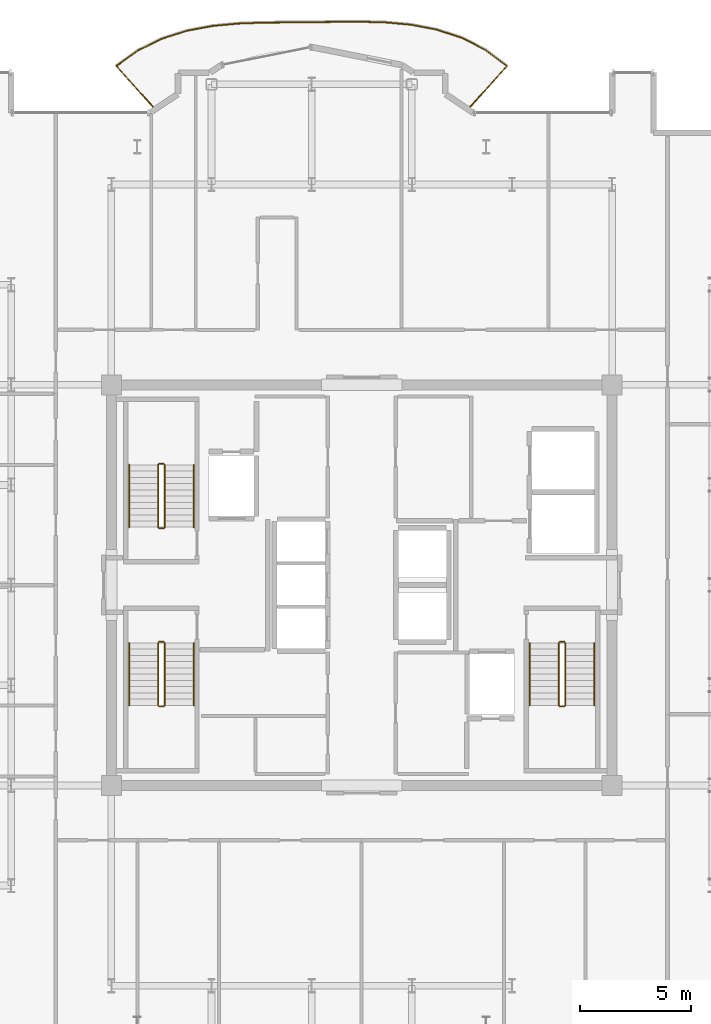
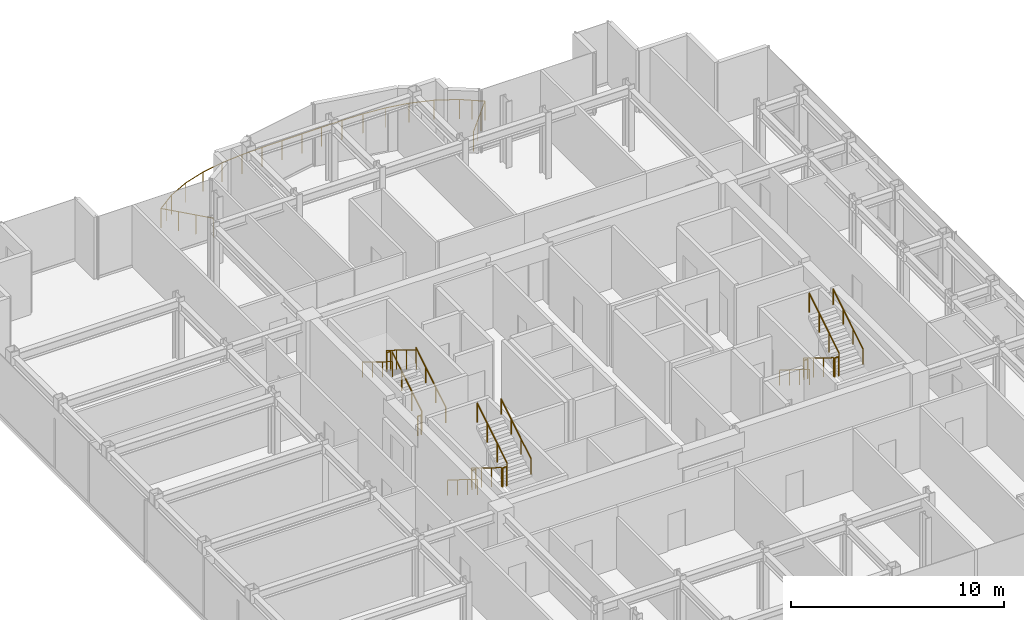
# One storey, part 18 of 18: 19 railings.
"""IFC4 building model written with IfcOpenShell, lengths in metres."""

from ifc_helpers import new_model, si_unit, direction, frame, origin, origin_2d, place, context, subcontext, project, spatial, circle, extrude, material, type_object, element, save


model = new_model("IFC4")

# Units and contexts
model_context = context("Model", 3, precision=1e-05, world=origin(), true_north=direction((0.0, 1.0)))
body_context = subcontext(model_context, "Body", "Model", "MODEL_VIEW")
ifc_project = project(units=[si_unit("LENGTHUNIT", "METRE"), si_unit("AREAUNIT", "SQUARE_METRE"), si_unit("VOLUMEUNIT", "CUBIC_METRE"), si_unit("PLANEANGLEUNIT", "RADIAN"), si_unit("MASSUNIT", "GRAM", prefix="KILO")], contexts=[model_context])

# Site, building, storey
site_placement = place(None, origin())
site = spatial("IfcSite", under=ifc_project, at=site_placement, CompositionType="ELEMENT")
building_placement = place(site_placement, origin())
building = spatial("IfcBuilding", under=site, at=building_placement, Name="Nefas-Gora Pilgrimage Tower", CompositionType="ELEMENT")
storey_placement = place(building_placement, frame((0.0, 0.0, 306.39990234375)))
storey = spatial("IfcBuildingStorey", under=building, at=storey_placement, Name="L77", CompositionType="ELEMENT", Elevation=306.39990234375)

# Railings
ifc_material_1 = material(Name="Laminated safety glass and stainless steel", Category="steel")
railing_type_1 = type_object("IfcRailingType", Name="RLG-BAL-1100", PredefinedType="BALUSTRADE", material=ifc_material_1)
railing_1_placement = place(storey_placement, frame((4.802490234375, 21.402587890625, 0.0)))
element("IfcRailing", 1, at=railing_1_placement, inside=storey, type_object=railing_type_1, Name="L77 Wave Balcony Balustrade N1", PredefinedType="BALUSTRADE", context=body_context, shape_type="SweptSolid", body=[
    extrude(circle(Radius=0.02392578125, at=origin_2d()), frame((0.0, 0.0, 1.09619140625), z_axis=(0.669142449017, 0.743134162129, 0.0), x_axis=(-0.743134162129, 0.669142449017, 0.0)), (0.0, 0.0, 1.0), 2.580322265625),
    extrude(circle(Radius=0.02392578125, at=origin_2d()), frame((1.7265625, 1.91748046875, 1.09619140625), z_axis=(-0.799609380454, 0.600520473164, 0.0), x_axis=(-0.600520473164, -0.799609380454, 0.0)), (0.0, 0.0, 1.0), 1.200439453125),
    extrude(circle(Radius=0.02392578125, at=origin_2d()), frame((0.7666015625, 2.638427734375, 1.09619140625), z_axis=(-0.890733279512, 0.45452637412, 0.0), x_axis=(-0.45452637412, -0.890733279512, 0.0)), (0.0, 0.0, 1.0), 1.199462890625),
    extrude(circle(Radius=0.02392578125, at=origin_2d()), frame((-0.3017578125, 3.18359375, 1.09619140625), z_axis=(-0.950145160324, 0.311807912523, 0.0), x_axis=(-0.311807912523, -0.950145160324, 0.0)), (0.0, 0.0, 1.0), 1.194091796875),
    extrude(circle(Radius=0.02392578125, at=origin_2d()), frame((-1.436279296875, 3.555908203125, 1.09619140625), z_axis=(-0.982457799544, 0.186485045284, 0.0), x_axis=(-0.186485045284, -0.982457799544, 0.0)), (0.0, 0.0, 1.0), 1.180908203125),
    extrude(circle(Radius=0.02392578125, at=origin_2d()), frame((-2.596435546875, 3.776123046875, 1.09619140625), z_axis=(-0.996011638398, 0.089223405981, 0.0), x_axis=(-0.089223405981, -0.996011638398, 0.0)), (0.0, 0.0, 1.0), 1.157470703125),
    extrude(circle(Radius=0.02392578125, at=origin_2d()), frame((-3.749267578125, 3.87939453125, 1.09619140625), z_axis=(-0.99967356135, 0.025549378436, 0.0), x_axis=(-0.025549378436, -0.99967356135, 0.0)), (0.0, 0.0, 1.0), 1.127685546875),
    extrude(circle(Radius=0.02392578125, at=origin_2d()), frame((-4.87646484375, 3.908203125, 1.09619140625), z_axis=(-0.999980616702, -0.00622625245, 0.0), x_axis=(0.00622625245, -0.999980616702, 0.0)), (0.0, 0.0, 1.0), 1.097900390625),
    extrude(circle(Radius=0.02392578125, at=origin_2d()), frame((-5.974365234375, 3.9013671875, 1.09619140625), z_axis=(-0.99992244912, -0.012453744271, 0.0), x_axis=(0.012453744271, -0.99992244912, 0.0)), (0.0, 0.0, 1.0), 1.078125),
    extrude(circle(Radius=0.02392578125, at=origin_2d()), frame((-7.052490234375, 3.887939453125, 1.09619140625), z_axis=(-0.999968478826, -0.007939858611, 0.0), x_axis=(0.007939858611, -0.999968478826, 0.0)), (0.0, 0.0, 1.0), 1.076171875),
    extrude(circle(Radius=0.02392578125, at=origin_2d()), frame((-8.128662109375, 3.87939453125, 1.09619140625), z_axis=(-0.999947171878, -0.010278786571, 0.0), x_axis=(0.010278786571, -0.999947171878, 0.0)), (0.0, 0.0, 1.0), 1.092529296875),
    extrude(circle(Radius=0.02392578125, at=origin_2d()), frame((-9.22119140625, 3.8681640625, 1.09619140625), z_axis=(-0.99936174395, -0.03572260811, 0.0), x_axis=(0.03572260811, -0.99936174395, 0.0)), (0.0, 0.0, 1.0), 1.120849609375),
    extrude(circle(Radius=0.02392578125, at=origin_2d()), frame((-10.34130859375, 3.828125, 1.09619140625), z_axis=(-0.995737068409, -0.092237143262, 0.0), x_axis=(0.092237143262, -0.995737068409, 0.0)), (0.0, 0.0, 1.0), 1.1513671875),
    extrude(circle(Radius=0.02392578125, at=origin_2d()), frame((-11.48779296875, 3.721923828125, 1.09619140625), z_axis=(-0.983222780011, -0.182408785063, 0.0), x_axis=(0.182408785063, -0.983222780011, 0.0)), (0.0, 0.0, 1.0), 1.176513671875),
    extrude(circle(Radius=0.02392578125, at=origin_2d()), frame((-12.64453125, 3.50732421875, 1.09619140625), z_axis=(-0.953347137132, -0.301876193369, 0.0), x_axis=(0.301876193369, -0.953347137132, 0.0)), (0.0, 0.0, 1.0), 1.192138671875),
    extrude(circle(Radius=0.02392578125, at=origin_2d()), frame((-13.781005859375, 3.1474609375, 1.09619140625), z_axis=(-0.8975416003, -0.440929785489, 0.0), x_axis=(0.440929785489, -0.8975416003, 0.0)), (0.0, 0.0, 1.0), 1.19873046875),
    extrude(circle(Radius=0.02392578125, at=origin_2d()), frame((-14.85693359375, 2.618896484375, 1.09619140625), z_axis=(-0.81049147795, -0.58575042823, 0.0), x_axis=(0.58575042823, -0.81049147795, 0.0)), (0.0, 0.0, 1.0), 1.200439453125),
    extrude(circle(Radius=0.02392578125, at=origin_2d()), frame((-15.829833984375, 1.915771484375, 1.09619140625), z_axis=(0.669105995394, -0.743166984552, 0.0), x_axis=(0.743166984552, 0.669105995394, 0.0)), (0.0, 0.0, 1.0), 2.577880859375),
    extrude(circle(Radius=0.02099609375, at=origin_2d()), origin(), (0.0, 0.0, 1.0), 1.072021484375),
    extrude(circle(Radius=0.02099609375, at=origin_2d()), frame((0.575439453125, 0.63916015625, 0.0)), (0.0, 0.0, 1.0), 1.072021484375),
    extrude(circle(Radius=0.02099609375, at=origin_2d()), frame((1.151123046875, 1.2783203125, 0.0)), (0.0, 0.0, 1.0), 1.072021484375),
    extrude(circle(Radius=0.02099609375, at=origin_2d()), frame((1.7265625, 1.91748046875, 0.0)), (0.0, 0.0, 1.0), 1.072021484375),
    extrude(circle(Radius=0.02099609375, at=origin_2d()), frame((1.24658203125, 2.27783203125, 0.0)), (0.0, 0.0, 1.0), 1.072021484375),
    extrude(circle(Radius=0.02099609375, at=origin_2d()), frame((0.7666015625, 2.638427734375, 0.0)), (0.0, 0.0, 1.0), 1.072021484375),
    extrude(circle(Radius=0.02099609375, at=origin_2d()), frame((-0.3017578125, 3.18359375, 0.0)), (0.0, 0.0, 1.0), 1.072021484375),
    extrude(circle(Radius=0.02099609375, at=origin_2d()), frame((-1.436279296875, 3.555908203125, 0.0)), (0.0, 0.0, 1.0), 1.072021484375),
    extrude(circle(Radius=0.02099609375, at=origin_2d()), frame((-2.596435546875, 3.776123046875, 0.0)), (0.0, 0.0, 1.0), 1.072021484375),
    extrude(circle(Radius=0.02099609375, at=origin_2d()), frame((-3.749267578125, 3.87939453125, 0.0)), (0.0, 0.0, 1.0), 1.072021484375),
    extrude(circle(Radius=0.02099609375, at=origin_2d()), frame((-4.87646484375, 3.908203125, 0.0)), (0.0, 0.0, 1.0), 1.072021484375),
    extrude(circle(Radius=0.02099609375, at=origin_2d()), frame((-5.974365234375, 3.9013671875, 0.0)), (0.0, 0.0, 1.0), 1.072021484375),
    extrude(circle(Radius=0.02099609375, at=origin_2d()), frame((-7.052490234375, 3.887939453125, 0.0)), (0.0, 0.0, 1.0), 1.072021484375),
    extrude(circle(Radius=0.02099609375, at=origin_2d()), frame((-8.128662109375, 3.87939453125, 0.0)), (0.0, 0.0, 1.0), 1.072021484375),
    extrude(circle(Radius=0.02099609375, at=origin_2d()), frame((-9.22119140625, 3.8681640625, 0.0)), (0.0, 0.0, 1.0), 1.072021484375),
    extrude(circle(Radius=0.02099609375, at=origin_2d()), frame((-10.34130859375, 3.828125, 0.0)), (0.0, 0.0, 1.0), 1.072021484375),
    extrude(circle(Radius=0.02099609375, at=origin_2d()), frame((-11.48779296875, 3.721923828125, 0.0)), (0.0, 0.0, 1.0), 1.072021484375),
    extrude(circle(Radius=0.02099609375, at=origin_2d()), frame((-12.64453125, 3.50732421875, 0.0)), (0.0, 0.0, 1.0), 1.072021484375),
    extrude(circle(Radius=0.02099609375, at=origin_2d()), frame((-13.781005859375, 3.1474609375, 0.0)), (0.0, 0.0, 1.0), 1.072021484375),
    extrude(circle(Radius=0.02099609375, at=origin_2d()), frame((-14.85693359375, 2.618896484375, 0.0)), (0.0, 0.0, 1.0), 1.072021484375),
    extrude(circle(Radius=0.02099609375, at=origin_2d()), frame((-15.34326171875, 2.267333984375, 0.0)), (0.0, 0.0, 1.0), 1.072021484375),
    extrude(circle(Radius=0.02099609375, at=origin_2d()), frame((-15.829833984375, 1.915771484375, 0.0)), (0.0, 0.0, 1.0), 1.072021484375),
    extrude(circle(Radius=0.02099609375, at=origin_2d()), frame((-15.2548828125, 1.277099609375, 0.0)), (0.0, 0.0, 1.0), 1.072021484375),
    extrude(circle(Radius=0.02099609375, at=origin_2d()), frame((-14.679931640625, 0.638671875, 0.0)), (0.0, 0.0, 1.0), 1.072021484375),
    extrude(circle(Radius=0.02099609375, at=origin_2d()), frame((-14.10498046875, 0.0, 0.0)), (0.0, 0.0, 1.0), 1.072021484375),
])
ifc_material_2 = material(Name="Painted galvanised steel", Category="steel")
railing_type_2 = type_object("IfcRailingType", Name="RLG-STR-GUARD-1100", PredefinedType="GUARDRAIL", material=ifc_material_2)
railing_2_placement = place(storey_placement, frame((-8.85009765625, 2.60009765625, 0.1728515625)))
element("IfcRailing", 2, at=railing_2_placement, inside=storey, type_object=railing_type_2, Name="L77 ST-01 stair guard 1", PredefinedType="GUARDRAIL", context=body_context, shape_type="SweptSolid", body=[
    extrude(circle(Radius=0.02392578125, at=origin_2d()), frame((0.0, 0.0, 1.09619140625), z_axis=(0.0, 0.851069175582, 0.525053576669), x_axis=(-1.0, 0.0, 0.0)), (0.0, 0.0, 1.0), 3.289794921875),
    extrude(circle(Radius=0.02099609375, at=origin_2d()), origin(), (0.0, 0.0, 1.0), 1.072021484375),
    extrude(circle(Radius=0.02099609375, at=origin_2d()), frame((0.0, 0.933349609375, 0.57568359375)), (0.0, 0.0, 1.0), 1.072021484375),
    extrude(circle(Radius=0.02099609375, at=origin_2d()), frame((0.0, 1.866455078125, 1.151611328125)), (0.0, 0.0, 1.0), 1.072021484375),
    extrude(circle(Radius=0.02099609375, at=origin_2d()), frame((0.0, 2.7998046875, 1.727294921875)), (0.0, 0.0, 1.0), 1.072021484375),
])
railing_3_placement = place(storey_placement, frame((-8.89990234375, 5.449951171875, 1.900146484375)))
element("IfcRailing", 3, at=railing_3_placement, inside=storey, type_object=railing_type_2, Name="L77 ST-01 stair guard 2", PredefinedType="GUARDRAIL", context=body_context, shape_type="SweptSolid", body=[
    extrude(circle(Radius=0.02392578125, at=origin_2d()), frame((0.0, 0.0, 1.09619140625), z_axis=(-1.0, 0.0, 0.0), x_axis=(0.0, -1.0, 0.0)), (0.0, 0.0, 1.0), 0.2001953125),
    extrude(circle(Radius=0.02099609375, at=origin_2d()), origin(), (0.0, 0.0, 1.0), 1.072021484375),
    extrude(circle(Radius=0.02099609375, at=origin_2d()), frame((-0.2001953125, 0.0, 0.0)), (0.0, 0.0, 1.0), 1.072021484375),
])
railing_4_placement = place(storey_placement, frame((-9.14990234375, 5.39990234375, 2.07275390625)))
element("IfcRailing", 4, at=railing_4_placement, inside=storey, type_object=railing_type_2, Name="L77 ST-01 stair guard 3", PredefinedType="GUARDRAIL", context=body_context, shape_type="SweptSolid", body=[
    extrude(circle(Radius=0.02392578125, at=origin_2d()), frame((0.0, 0.0, 1.09619140625), z_axis=(0.0, -0.851069175582, 0.525053576669), x_axis=(1.0, 0.0, 0.0)), (0.0, 0.0, 1.0), 3.289794921875),
    extrude(circle(Radius=0.02099609375, at=origin_2d()), origin(), (0.0, 0.0, 1.0), 1.072021484375),
    extrude(circle(Radius=0.02099609375, at=origin_2d()), frame((0.0, -0.933349609375, 0.57568359375)), (0.0, 0.0, 1.0), 1.072021484375),
    extrude(circle(Radius=0.02099609375, at=origin_2d()), frame((0.0, -1.866455078125, 1.151611328125)), (0.0, 0.0, 1.0), 1.072021484375),
    extrude(circle(Radius=0.02099609375, at=origin_2d()), frame((0.0, -2.7998046875, 1.727294921875)), (0.0, 0.0, 1.0), 1.072021484375),
])
railing_5_placement = place(storey_placement, frame((-8.89990234375, 2.550048828125, 0.0)))
element("IfcRailing", 5, at=railing_5_placement, inside=storey, type_object=railing_type_2, Name="L77 ST-01 stair guard 4", PredefinedType="GUARDRAIL", context=body_context, shape_type="SweptSolid", body=[
    extrude(circle(Radius=0.02392578125, at=origin_2d()), frame((0.0, 0.0, 1.09619140625), z_axis=(-1.0, 0.0, 0.0), x_axis=(0.0, -1.0, 0.0)), (0.0, 0.0, 1.0), 0.2001953125),
    extrude(circle(Radius=0.02099609375, at=origin_2d()), origin(), (0.0, 0.0, 1.0), 1.072021484375),
    extrude(circle(Radius=0.02099609375, at=origin_2d()), frame((-0.2001953125, 0.0, 0.0)), (0.0, 0.0, 1.0), 1.072021484375),
])
railing_6_placement = place(storey_placement, frame((8.85009765625, -2.60009765625, 0.1728515625)))
element("IfcRailing", 6, at=railing_6_placement, inside=storey, type_object=railing_type_2, Name="L77 ST-02 stair guard 1", PredefinedType="GUARDRAIL", context=body_context, shape_type="SweptSolid", body=[
    extrude(circle(Radius=0.02392578125, at=origin_2d()), frame((0.0, 0.0, 1.09619140625), z_axis=(0.0, -0.851069175582, 0.525053576669), x_axis=(1.0, 0.0, 0.0)), (0.0, 0.0, 1.0), 3.289794921875),
    extrude(circle(Radius=0.02099609375, at=origin_2d()), origin(), (0.0, 0.0, 1.0), 1.072021484375),
    extrude(circle(Radius=0.02099609375, at=origin_2d()), frame((0.0, -0.933349609375, 0.57568359375)), (0.0, 0.0, 1.0), 1.072021484375),
    extrude(circle(Radius=0.02099609375, at=origin_2d()), frame((0.0, -1.866455078125, 1.151611328125)), (0.0, 0.0, 1.0), 1.072021484375),
    extrude(circle(Radius=0.02099609375, at=origin_2d()), frame((0.0, -2.7998046875, 1.727294921875)), (0.0, 0.0, 1.0), 1.072021484375),
])
railing_7_placement = place(storey_placement, frame((8.89990234375, -5.449951171875, 1.900146484375)))
element("IfcRailing", 7, at=railing_7_placement, inside=storey, type_object=railing_type_2, Name="L77 ST-02 stair guard 2", PredefinedType="GUARDRAIL", context=body_context, shape_type="SweptSolid", body=[
    extrude(circle(Radius=0.02392578125, at=origin_2d()), frame((0.0, 0.0, 1.09619140625), z_axis=(1.0, 0.0, 0.0), x_axis=(0.0, 1.0, 0.0)), (0.0, 0.0, 1.0), 0.2001953125),
    extrude(circle(Radius=0.02099609375, at=origin_2d()), origin(), (0.0, 0.0, 1.0), 1.072021484375),
    extrude(circle(Radius=0.02099609375, at=origin_2d()), frame((0.2001953125, 0.0, 0.0)), (0.0, 0.0, 1.0), 1.072021484375),
])
railing_8_placement = place(storey_placement, frame((9.14990234375, -5.39990234375, 2.07275390625)))
element("IfcRailing", 8, at=railing_8_placement, inside=storey, type_object=railing_type_2, Name="L77 ST-02 stair guard 3", PredefinedType="GUARDRAIL", context=body_context, shape_type="SweptSolid", body=[
    extrude(circle(Radius=0.02392578125, at=origin_2d()), frame((0.0, 0.0, 1.09619140625), z_axis=(0.0, 0.851069175582, 0.525053576669), x_axis=(-1.0, 0.0, 0.0)), (0.0, 0.0, 1.0), 3.289794921875),
    extrude(circle(Radius=0.02099609375, at=origin_2d()), origin(), (0.0, 0.0, 1.0), 1.072021484375),
    extrude(circle(Radius=0.02099609375, at=origin_2d()), frame((0.0, 0.933349609375, 0.57568359375)), (0.0, 0.0, 1.0), 1.072021484375),
    extrude(circle(Radius=0.02099609375, at=origin_2d()), frame((0.0, 1.866455078125, 1.151611328125)), (0.0, 0.0, 1.0), 1.072021484375),
    extrude(circle(Radius=0.02099609375, at=origin_2d()), frame((0.0, 2.7998046875, 1.727294921875)), (0.0, 0.0, 1.0), 1.072021484375),
])
railing_9_placement = place(storey_placement, frame((8.89990234375, -2.550048828125, 0.0)))
element("IfcRailing", 9, at=railing_9_placement, inside=storey, type_object=railing_type_2, Name="L77 ST-02 stair guard 4", PredefinedType="GUARDRAIL", context=body_context, shape_type="SweptSolid", body=[
    extrude(circle(Radius=0.02392578125, at=origin_2d()), frame((0.0, 0.0, 1.09619140625), z_axis=(1.0, 0.0, 0.0), x_axis=(0.0, 1.0, 0.0)), (0.0, 0.0, 1.0), 0.2001953125),
    extrude(circle(Radius=0.02099609375, at=origin_2d()), origin(), (0.0, 0.0, 1.0), 1.072021484375),
    extrude(circle(Radius=0.02099609375, at=origin_2d()), frame((0.2001953125, 0.0, 0.0)), (0.0, 0.0, 1.0), 1.072021484375),
])
railing_10_placement = place(storey_placement, frame((-9.14990234375, -2.60009765625, 0.1728515625)))
element("IfcRailing", 10, at=railing_10_placement, inside=storey, type_object=railing_type_2, Name="L77 ST-03 stair guard 1", PredefinedType="GUARDRAIL", context=body_context, shape_type="SweptSolid", body=[
    extrude(circle(Radius=0.02392578125, at=origin_2d()), frame((0.0, 0.0, 1.09619140625), z_axis=(0.0, -0.851069175582, 0.525053576669), x_axis=(1.0, 0.0, 0.0)), (0.0, 0.0, 1.0), 3.289794921875),
    extrude(circle(Radius=0.02099609375, at=origin_2d()), origin(), (0.0, 0.0, 1.0), 1.072021484375),
    extrude(circle(Radius=0.02099609375, at=origin_2d()), frame((0.0, -0.933349609375, 0.57568359375)), (0.0, 0.0, 1.0), 1.072021484375),
    extrude(circle(Radius=0.02099609375, at=origin_2d()), frame((0.0, -1.866455078125, 1.151611328125)), (0.0, 0.0, 1.0), 1.072021484375),
    extrude(circle(Radius=0.02099609375, at=origin_2d()), frame((0.0, -2.7998046875, 1.727294921875)), (0.0, 0.0, 1.0), 1.072021484375),
])
railing_11_placement = place(storey_placement, frame((-9.10009765625, -5.449951171875, 1.900146484375)))
element("IfcRailing", 11, at=railing_11_placement, inside=storey, type_object=railing_type_2, Name="L77 ST-03 stair guard 2", PredefinedType="GUARDRAIL", context=body_context, shape_type="SweptSolid", body=[
    extrude(circle(Radius=0.02392578125, at=origin_2d()), frame((0.0, 0.0, 1.09619140625), z_axis=(1.0, 0.0, 0.0), x_axis=(0.0, 1.0, 0.0)), (0.0, 0.0, 1.0), 0.2001953125),
    extrude(circle(Radius=0.02099609375, at=origin_2d()), origin(), (0.0, 0.0, 1.0), 1.072021484375),
    extrude(circle(Radius=0.02099609375, at=origin_2d()), frame((0.2001953125, 0.0, 0.0)), (0.0, 0.0, 1.0), 1.072021484375),
])
railing_12_placement = place(storey_placement, frame((-8.85009765625, -5.39990234375, 2.07275390625)))
element("IfcRailing", 12, at=railing_12_placement, inside=storey, type_object=railing_type_2, Name="L77 ST-03 stair guard 3", PredefinedType="GUARDRAIL", context=body_context, shape_type="SweptSolid", body=[
    extrude(circle(Radius=0.02392578125, at=origin_2d()), frame((0.0, 0.0, 1.09619140625), z_axis=(0.0, 0.851069175582, 0.525053576669), x_axis=(-1.0, 0.0, 0.0)), (0.0, 0.0, 1.0), 3.289794921875),
    extrude(circle(Radius=0.02099609375, at=origin_2d()), origin(), (0.0, 0.0, 1.0), 1.072021484375),
    extrude(circle(Radius=0.02099609375, at=origin_2d()), frame((0.0, 0.933349609375, 0.57568359375)), (0.0, 0.0, 1.0), 1.072021484375),
    extrude(circle(Radius=0.02099609375, at=origin_2d()), frame((0.0, 1.866455078125, 1.151611328125)), (0.0, 0.0, 1.0), 1.072021484375),
    extrude(circle(Radius=0.02099609375, at=origin_2d()), frame((0.0, 2.7998046875, 1.727294921875)), (0.0, 0.0, 1.0), 1.072021484375),
])
railing_13_placement = place(storey_placement, frame((-9.10009765625, -2.550048828125, 0.0)))
element("IfcRailing", 13, at=railing_13_placement, inside=storey, type_object=railing_type_2, Name="L77 ST-03 stair guard 4", PredefinedType="GUARDRAIL", context=body_context, shape_type="SweptSolid", body=[
    extrude(circle(Radius=0.02392578125, at=origin_2d()), frame((0.0, 0.0, 1.09619140625), z_axis=(1.0, 0.0, 0.0), x_axis=(0.0, 1.0, 0.0)), (0.0, 0.0, 1.0), 0.2001953125),
    extrude(circle(Radius=0.02099609375, at=origin_2d()), origin(), (0.0, 0.0, 1.0), 1.072021484375),
    extrude(circle(Radius=0.02099609375, at=origin_2d()), frame((0.2001953125, 0.0, 0.0)), (0.0, 0.0, 1.0), 1.072021484375),
])
ifc_material_3 = material(Name="Brushed stainless steel", Category="steel")
railing_type_3 = type_object("IfcRailingType", Name="RLG-STR-HAND-900", PredefinedType="HANDRAIL", material=ifc_material_3)
railing_14_placement = place(storey_placement, frame((-7.550048828125, 2.60009765625, 0.1728515625)))
element("IfcRailing", 14, at=railing_14_placement, inside=storey, type_object=railing_type_3, Name="L77 ST-01 stair handrail 1", PredefinedType="HANDRAIL", context=body_context, shape_type="SweptSolid", body=[
    extrude(circle(Radius=0.02392578125, at=origin_2d()), frame((0.0, 0.0, 0.8759765625), z_axis=(0.0, 0.851069175582, 0.525053576669), x_axis=(-1.0, 0.0, 0.0)), (0.0, 0.0, 1.0), 3.289794921875),
    extrude(circle(Radius=0.02099609375, at=origin_2d()), origin(), (0.0, 0.0, 1.0), 0.851806640625),
    extrude(circle(Radius=0.02099609375, at=origin_2d()), frame((0.0, 0.933349609375, 0.57568359375)), (0.0, 0.0, 1.0), 0.851806640625),
    extrude(circle(Radius=0.02099609375, at=origin_2d()), frame((0.0, 1.866455078125, 1.151611328125)), (0.0, 0.0, 1.0), 0.851806640625),
    extrude(circle(Radius=0.02099609375, at=origin_2d()), frame((0.0, 2.7998046875, 1.727294921875)), (0.0, 0.0, 1.0), 0.851806640625),
])
for number, where, name in (
    (15, (-10.449951171875, 5.39990234375, 2.07275390625), "L77 ST-01 stair handrail 2"),
    (16, (7.550048828125, -2.60009765625, 0.1728515625), "L77 ST-02 stair handrail 1"),
):
    element("IfcRailing", number, at=place(storey_placement, frame(where)), inside=storey, type_object=railing_type_3, Name=name, PredefinedType="HANDRAIL", context=body_context, shape_type="SweptSolid", body=[
        extrude(circle(Radius=0.02392578125, at=origin_2d()), frame((0.0, 0.0, 0.8759765625), z_axis=(0.0, -0.851069175582, 0.525053576669), x_axis=(1.0, 0.0, 0.0)), (0.0, 0.0, 1.0), 3.289794921875),
        extrude(circle(Radius=0.02099609375, at=origin_2d()), origin(), (0.0, 0.0, 1.0), 0.851806640625),
        extrude(circle(Radius=0.02099609375, at=origin_2d()), frame((0.0, -0.933349609375, 0.57568359375)), (0.0, 0.0, 1.0), 0.851806640625),
        extrude(circle(Radius=0.02099609375, at=origin_2d()), frame((0.0, -1.866455078125, 1.151611328125)), (0.0, 0.0, 1.0), 0.851806640625),
        extrude(circle(Radius=0.02099609375, at=origin_2d()), frame((0.0, -2.7998046875, 1.727294921875)), (0.0, 0.0, 1.0), 0.851806640625),
    ])
railing_15_placement = place(storey_placement, frame((10.449951171875, -5.39990234375, 2.07275390625)))
element("IfcRailing", 17, at=railing_15_placement, inside=storey, type_object=railing_type_3, Name="L77 ST-02 stair handrail 2", PredefinedType="HANDRAIL", context=body_context, shape_type="SweptSolid", body=[
    extrude(circle(Radius=0.02392578125, at=origin_2d()), frame((0.0, 0.0, 0.8759765625), z_axis=(0.0, 0.851069175582, 0.525053576669), x_axis=(-1.0, 0.0, 0.0)), (0.0, 0.0, 1.0), 3.289794921875),
    extrude(circle(Radius=0.02099609375, at=origin_2d()), origin(), (0.0, 0.0, 1.0), 0.851806640625),
    extrude(circle(Radius=0.02099609375, at=origin_2d()), frame((0.0, 0.933349609375, 0.57568359375)), (0.0, 0.0, 1.0), 0.851806640625),
    extrude(circle(Radius=0.02099609375, at=origin_2d()), frame((0.0, 1.866455078125, 1.151611328125)), (0.0, 0.0, 1.0), 0.851806640625),
    extrude(circle(Radius=0.02099609375, at=origin_2d()), frame((0.0, 2.7998046875, 1.727294921875)), (0.0, 0.0, 1.0), 0.851806640625),
])
railing_16_placement = place(storey_placement, frame((-10.449951171875, -2.60009765625, 0.1728515625)))
element("IfcRailing", 18, at=railing_16_placement, inside=storey, type_object=railing_type_3, Name="L77 ST-03 stair handrail 1", PredefinedType="HANDRAIL", context=body_context, shape_type="SweptSolid", body=[
    extrude(circle(Radius=0.02392578125, at=origin_2d()), frame((0.0, 0.0, 0.8759765625), z_axis=(0.0, -0.851069175582, 0.525053576669), x_axis=(1.0, 0.0, 0.0)), (0.0, 0.0, 1.0), 3.289794921875),
    extrude(circle(Radius=0.02099609375, at=origin_2d()), origin(), (0.0, 0.0, 1.0), 0.851806640625),
    extrude(circle(Radius=0.02099609375, at=origin_2d()), frame((0.0, -0.933349609375, 0.57568359375)), (0.0, 0.0, 1.0), 0.851806640625),
    extrude(circle(Radius=0.02099609375, at=origin_2d()), frame((0.0, -1.866455078125, 1.151611328125)), (0.0, 0.0, 1.0), 0.851806640625),
    extrude(circle(Radius=0.02099609375, at=origin_2d()), frame((0.0, -2.7998046875, 1.727294921875)), (0.0, 0.0, 1.0), 0.851806640625),
])
railing_17_placement = place(storey_placement, frame((-7.550048828125, -5.39990234375, 2.07275390625)))
element("IfcRailing", 19, at=railing_17_placement, inside=storey, type_object=railing_type_3, Name="L77 ST-03 stair handrail 2", PredefinedType="HANDRAIL", context=body_context, shape_type="SweptSolid", body=[
    extrude(circle(Radius=0.02392578125, at=origin_2d()), frame((0.0, 0.0, 0.8759765625), z_axis=(0.0, 0.851069175582, 0.525053576669), x_axis=(-1.0, 0.0, 0.0)), (0.0, 0.0, 1.0), 3.289794921875),
    extrude(circle(Radius=0.02099609375, at=origin_2d()), origin(), (0.0, 0.0, 1.0), 0.851806640625),
    extrude(circle(Radius=0.02099609375, at=origin_2d()), frame((0.0, 0.933349609375, 0.57568359375)), (0.0, 0.0, 1.0), 0.851806640625),
    extrude(circle(Radius=0.02099609375, at=origin_2d()), frame((0.0, 1.866455078125, 1.151611328125)), (0.0, 0.0, 1.0), 0.851806640625),
    extrude(circle(Radius=0.02099609375, at=origin_2d()), frame((0.0, 2.7998046875, 1.727294921875)), (0.0, 0.0, 1.0), 0.851806640625),
])

save(model, "model.ifc")
